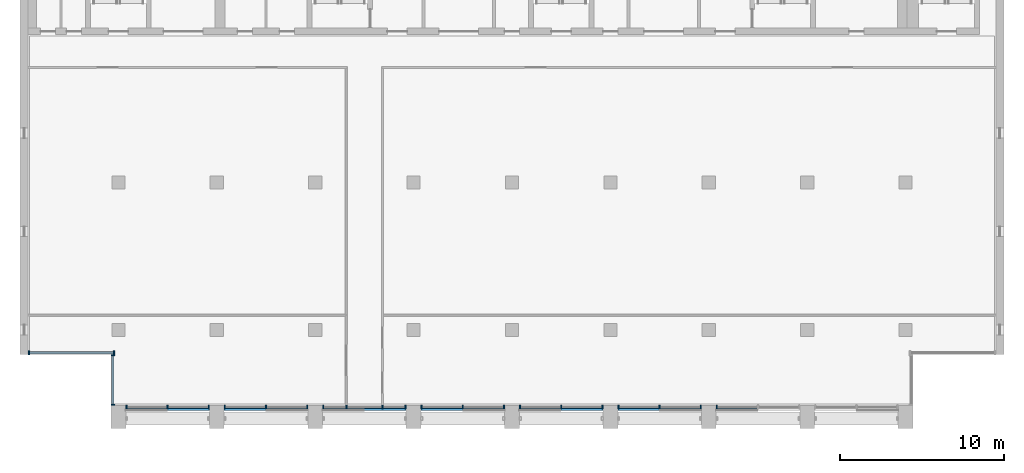
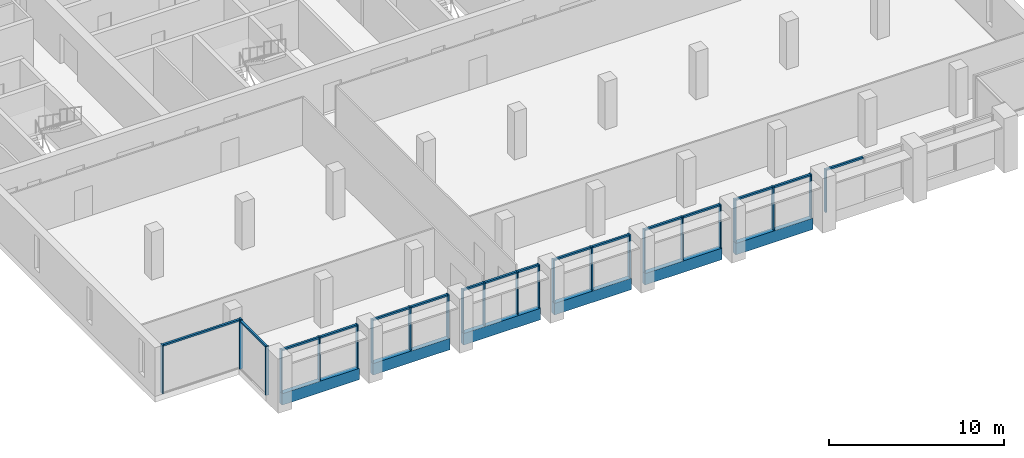
# One storey, part 2 of 14: 40 members, 6 beams, 9 elements without a shape of their own.
"""IFC4 building model written with IfcOpenShell, lengths in metres."""

from ifc_helpers import new_model, si_unit, direction, frame, origin, origin_2d, place, context, subcontext, project, spatial, rectangle, extrude, material, material_profile, profile_set, type_object, element, aggregate, save


model = new_model("IFC4")

# Units and contexts
model_context = context("Model", 3, precision=1e-05, world=origin(), true_north=direction((0.0, 1.0)))
body_context = subcontext(model_context, "Body", "Model", "MODEL_VIEW")
ifc_project = project(units=[si_unit("LENGTHUNIT", "METRE"), si_unit("AREAUNIT", "SQUARE_METRE"), si_unit("VOLUMEUNIT", "CUBIC_METRE"), si_unit("PLANEANGLEUNIT", "RADIAN"), si_unit("MASSUNIT", "GRAM", prefix="KILO")], contexts=[model_context])

# Site, building, storey
site_placement = place(None, origin())
site = spatial("IfcSite", under=ifc_project, at=site_placement, CompositionType="ELEMENT")
building_placement = place(site_placement, origin())
building = spatial("IfcBuilding", under=site, at=building_placement, Name="Calvaro Tower", CompositionType="ELEMENT")
storey_placement = place(building_placement, frame((0.0, 0.0, 258.35009765625)))
storey = spatial("IfcBuildingStorey", under=building, at=storey_placement, Name="L65", CompositionType="ELEMENT", Elevation=258.35009765625)

# Curtain wall, members
ifc_material_1 = material(Name="Anodised aluminium", Category="aluminium")
curtain_wall_type = type_object("IfcCurtainWallType", Name="Executive curtain wall", PredefinedType="NOTDEFINED", material=ifc_material_1)
curtain_wall_1_placement = place(storey_placement, origin())
curtain_wall_1 = element("IfcCurtainWall", 1, at=curtain_wall_1_placement, inside=storey, type_object=curtain_wall_type, Name="CW4 south curtain wall", PredefinedType="NOTDEFINED")
ifc_material_2 = material(Name="Anodised aluminium", Category="aluminium")
ifc_material_profile_1 = material_profile(ifc_material_2, rectangle(XDim=0.219970703125, YDim=0.080078125, at=origin_2d()), Name="Mullion S4 80 x 220")
ifc_profile_set_1 = profile_set([ifc_material_profile_1], Name="Anodised aluminium")
member_type_1 = type_object("IfcMemberType", Name="Mullion S4 80 x 220", PredefinedType="MULLION", material=ifc_profile_set_1)
member_1_placement = place(storey_placement, frame((12.489990234375, 5.2900390625, 0.0), z_axis=(0.0, 0.0, 1.0), x_axis=(0.0, 1.0, 0.0)))
member_1 = element("IfcMember", 2, at=member_1_placement, type_object=member_type_1, Name="CW4 mullion 1", PredefinedType="MULLION", context=body_context, shape_type="SweptSolid", body=[
    extrude(rectangle(XDim=0.219970703125, YDim=0.080078125, at=origin_2d()), origin(), (0.0, 0.0, 1.0), 3.0),
])
member_2_placement = place(storey_placement, frame((15.0, 5.2900390625, 0.0), z_axis=(0.0, 0.0, 1.0), x_axis=(0.0, 1.0, 0.0)))
member_2 = element("IfcMember", 3, at=member_2_placement, type_object=member_type_1, Name="CW4 mullion 2", PredefinedType="MULLION", context=body_context, shape_type="SweptSolid", body=[
    extrude(rectangle(XDim=0.219970703125, YDim=0.080078125, at=origin_2d()), origin(), (0.0, 0.0, 1.0), 3.0),
])
member_3_placement = place(storey_placement, frame((17.510009765625, 5.2900390625, 0.0), z_axis=(0.0, 0.0, 1.0), x_axis=(0.0, 1.0, 0.0)))
member_3 = element("IfcMember", 4, at=member_3_placement, type_object=member_type_1, Name="CW4 mullion 3", PredefinedType="MULLION", context=body_context, shape_type="SweptSolid", body=[
    extrude(rectangle(XDim=0.219970703125, YDim=0.080078125, at=origin_2d()), origin(), (0.0, 0.0, 1.0), 3.0),
])

curtain_wall_2_placement = place(storey_placement, origin())
curtain_wall_2 = element("IfcCurtainWall", 5, at=curtain_wall_2_placement, inside=storey, type_object=curtain_wall_type, Name="CW4 south curtain wall", PredefinedType="NOTDEFINED")
member_4_placement = place(storey_placement, frame((18.489990234375, 5.2900390625, 0.0), z_axis=(0.0, 0.0, 1.0), x_axis=(0.0, 1.0, 0.0)))
member_4 = element("IfcMember", 6, at=member_4_placement, type_object=member_type_1, Name="CW4 mullion 1", PredefinedType="MULLION", context=body_context, shape_type="SweptSolid", body=[
    extrude(rectangle(XDim=0.219970703125, YDim=0.080078125, at=origin_2d()), origin(), (0.0, 0.0, 1.0), 3.0),
])
member_5_placement = place(storey_placement, frame((21.0, 5.2900390625, 0.0), z_axis=(0.0, 0.0, 1.0), x_axis=(0.0, 1.0, 0.0)))
member_5 = element("IfcMember", 7, at=member_5_placement, type_object=member_type_1, Name="CW4 mullion 2", PredefinedType="MULLION", context=body_context, shape_type="SweptSolid", body=[
    extrude(rectangle(XDim=0.219970703125, YDim=0.080078125, at=origin_2d()), origin(), (0.0, 0.0, 1.0), 3.0),
])
member_6_placement = place(storey_placement, frame((23.510009765625, 5.2900390625, 0.0), z_axis=(0.0, 0.0, 1.0), x_axis=(0.0, 1.0, 0.0)))
member_6 = element("IfcMember", 8, at=member_6_placement, type_object=member_type_1, Name="CW4 mullion 3", PredefinedType="MULLION", context=body_context, shape_type="SweptSolid", body=[
    extrude(rectangle(XDim=0.219970703125, YDim=0.080078125, at=origin_2d()), origin(), (0.0, 0.0, 1.0), 3.0),
])

curtain_wall_3_placement = place(storey_placement, origin())
curtain_wall_3 = element("IfcCurtainWall", 9, at=curtain_wall_3_placement, inside=storey, type_object=curtain_wall_type, Name="CW4 south curtain wall", PredefinedType="NOTDEFINED")
member_7_placement = place(storey_placement, frame((24.489990234375, 5.2900390625, 0.0), z_axis=(0.0, 0.0, 1.0), x_axis=(0.0, 1.0, 0.0)))
member_7 = element("IfcMember", 10, at=member_7_placement, type_object=member_type_1, Name="CW4 mullion 1", PredefinedType="MULLION", context=body_context, shape_type="SweptSolid", body=[
    extrude(rectangle(XDim=0.219970703125, YDim=0.080078125, at=origin_2d()), origin(), (0.0, 0.0, 1.0), 3.0),
])
member_8_placement = place(storey_placement, frame((25.89990234375, 5.2900390625, 0.0), z_axis=(0.0, 0.0, 1.0), x_axis=(0.0, 1.0, 0.0)))
member_8 = element("IfcMember", 11, at=member_8_placement, type_object=member_type_1, Name="CW4 mullion 2", PredefinedType="MULLION", context=body_context, shape_type="SweptSolid", body=[
    extrude(rectangle(XDim=0.219970703125, YDim=0.080078125, at=origin_2d()), origin(), (0.0, 0.0, 1.0), 3.0),
])
member_9_placement = place(storey_placement, frame((28.10009765625, 5.2900390625, 0.0), z_axis=(0.0, 0.0, 1.0), x_axis=(0.0, 1.0, 0.0)))
member_9 = element("IfcMember", 12, at=member_9_placement, type_object=member_type_1, Name="CW4 mullion 3", PredefinedType="MULLION", context=body_context, shape_type="SweptSolid", body=[
    extrude(rectangle(XDim=0.219970703125, YDim=0.080078125, at=origin_2d()), origin(), (0.0, 0.0, 1.0), 3.0),
])
member_10_placement = place(storey_placement, frame((29.510009765625, 5.2900390625, 0.0), z_axis=(0.0, 0.0, 1.0), x_axis=(0.0, 1.0, 0.0)))
member_10 = element("IfcMember", 13, at=member_10_placement, type_object=member_type_1, Name="CW4 mullion 4", PredefinedType="MULLION", context=body_context, shape_type="SweptSolid", body=[
    extrude(rectangle(XDim=0.219970703125, YDim=0.080078125, at=origin_2d()), origin(), (0.0, 0.0, 1.0), 3.0),
])

curtain_wall_4_placement = place(storey_placement, origin())
curtain_wall_4 = element("IfcCurtainWall", 14, at=curtain_wall_4_placement, inside=storey, type_object=curtain_wall_type, Name="CW4 south curtain wall", PredefinedType="NOTDEFINED")
member_11_placement = place(storey_placement, frame((30.489990234375, 5.2900390625, 0.0), z_axis=(0.0, 0.0, 1.0), x_axis=(0.0, 1.0, 0.0)))
member_11 = element("IfcMember", 15, at=member_11_placement, type_object=member_type_1, Name="CW4 mullion 1", PredefinedType="MULLION", context=body_context, shape_type="SweptSolid", body=[
    extrude(rectangle(XDim=0.219970703125, YDim=0.080078125, at=origin_2d()), origin(), (0.0, 0.0, 1.0), 3.0),
])
member_12_placement = place(storey_placement, frame((33.0, 5.2900390625, 0.0), z_axis=(0.0, 0.0, 1.0), x_axis=(0.0, 1.0, 0.0)))
member_12 = element("IfcMember", 16, at=member_12_placement, type_object=member_type_1, Name="CW4 mullion 2", PredefinedType="MULLION", context=body_context, shape_type="SweptSolid", body=[
    extrude(rectangle(XDim=0.219970703125, YDim=0.080078125, at=origin_2d()), origin(), (0.0, 0.0, 1.0), 3.0),
])
member_13_placement = place(storey_placement, frame((35.510009765625, 5.2900390625, 0.0), z_axis=(0.0, 0.0, 1.0), x_axis=(0.0, 1.0, 0.0)))
member_13 = element("IfcMember", 17, at=member_13_placement, type_object=member_type_1, Name="CW4 mullion 3", PredefinedType="MULLION", context=body_context, shape_type="SweptSolid", body=[
    extrude(rectangle(XDim=0.219970703125, YDim=0.080078125, at=origin_2d()), origin(), (0.0, 0.0, 1.0), 3.0),
])

curtain_wall_5_placement = place(storey_placement, origin())
curtain_wall_5 = element("IfcCurtainWall", 18, at=curtain_wall_5_placement, inside=storey, type_object=curtain_wall_type, Name="CW4 south curtain wall", PredefinedType="NOTDEFINED")
member_14_placement = place(storey_placement, frame((36.489990234375, 5.2900390625, 0.0), z_axis=(0.0, 0.0, 1.0), x_axis=(0.0, 1.0, 0.0)))
member_14 = element("IfcMember", 19, at=member_14_placement, type_object=member_type_1, Name="CW4 mullion 1", PredefinedType="MULLION", context=body_context, shape_type="SweptSolid", body=[
    extrude(rectangle(XDim=0.219970703125, YDim=0.080078125, at=origin_2d()), origin(), (0.0, 0.0, 1.0), 3.0),
])
member_15_placement = place(storey_placement, frame((39.0, 5.2900390625, 0.0), z_axis=(0.0, 0.0, 1.0), x_axis=(0.0, 1.0, 0.0)))
member_15 = element("IfcMember", 20, at=member_15_placement, type_object=member_type_1, Name="CW4 mullion 2", PredefinedType="MULLION", context=body_context, shape_type="SweptSolid", body=[
    extrude(rectangle(XDim=0.219970703125, YDim=0.080078125, at=origin_2d()), origin(), (0.0, 0.0, 1.0), 3.0),
])
member_16_placement = place(storey_placement, frame((41.510009765625, 5.2900390625, 0.0), z_axis=(0.0, 0.0, 1.0), x_axis=(0.0, 1.0, 0.0)))
member_16 = element("IfcMember", 21, at=member_16_placement, type_object=member_type_1, Name="CW4 mullion 3", PredefinedType="MULLION", context=body_context, shape_type="SweptSolid", body=[
    extrude(rectangle(XDim=0.219970703125, YDim=0.080078125, at=origin_2d()), origin(), (0.0, 0.0, 1.0), 3.0),
])

curtain_wall_6_placement = place(storey_placement, origin())
curtain_wall_6 = element("IfcCurtainWall", 22, at=curtain_wall_6_placement, inside=storey, type_object=curtain_wall_type, Name="CW4 south curtain wall", PredefinedType="NOTDEFINED")
member_17_placement = place(storey_placement, frame((42.489990234375, 5.2900390625, 0.0), z_axis=(0.0, 0.0, 1.0), x_axis=(0.0, 1.0, 0.0)))
member_17 = element("IfcMember", 23, at=member_17_placement, type_object=member_type_1, Name="CW4 mullion 1", PredefinedType="MULLION", context=body_context, shape_type="SweptSolid", body=[
    extrude(rectangle(XDim=0.219970703125, YDim=0.080078125, at=origin_2d()), origin(), (0.0, 0.0, 1.0), 3.0),
])
member_18_placement = place(storey_placement, frame((45.0, 5.2900390625, 0.0), z_axis=(0.0, 0.0, 1.0), x_axis=(0.0, 1.0, 0.0)))
member_18 = element("IfcMember", 24, at=member_18_placement, type_object=member_type_1, Name="CW4 mullion 2", PredefinedType="MULLION", context=body_context, shape_type="SweptSolid", body=[
    extrude(rectangle(XDim=0.219970703125, YDim=0.080078125, at=origin_2d()), origin(), (0.0, 0.0, 1.0), 3.0),
])
member_19_placement = place(storey_placement, frame((47.510009765625, 5.2900390625, 0.0), z_axis=(0.0, 0.0, 1.0), x_axis=(0.0, 1.0, 0.0)))
member_19 = element("IfcMember", 25, at=member_19_placement, type_object=member_type_1, Name="CW4 mullion 3", PredefinedType="MULLION", context=body_context, shape_type="SweptSolid", body=[
    extrude(rectangle(XDim=0.219970703125, YDim=0.080078125, at=origin_2d()), origin(), (0.0, 0.0, 1.0), 3.0),
])

# Curtain wall, member
curtain_wall_7_placement = place(storey_placement, origin())
curtain_wall_7 = element("IfcCurtainWall", 26, at=curtain_wall_7_placement, inside=storey, type_object=curtain_wall_type, Name="CW4 south curtain wall", PredefinedType="NOTDEFINED")
member_20_placement = place(storey_placement, frame((48.489990234375, 5.2900390625, 0.0), z_axis=(0.0, 0.0, 1.0), x_axis=(0.0, 1.0, 0.0)))
member_20 = element("IfcMember", 27, at=member_20_placement, type_object=member_type_1, Name="CW4 mullion 1", PredefinedType="MULLION", context=body_context, shape_type="SweptSolid", body=[
    extrude(rectangle(XDim=0.219970703125, YDim=0.080078125, at=origin_2d()), origin(), (0.0, 0.0, 1.0), 3.0),
])

# Curtain wall, members
curtain_wall_8_placement = place(storey_placement, origin())
curtain_wall_8 = element("IfcCurtainWall", 28, at=curtain_wall_8_placement, inside=storey, type_object=curtain_wall_type, Name="CW4 corner curtain wall", PredefinedType="NOTDEFINED")
member_21_placement = place(storey_placement, frame((11.659912109375, 5.43994140625, 0.0), z_axis=(0.0, 0.0, 1.0), x_axis=(-1.0, 0.0, 0.0)))
member_21 = element("IfcMember", 29, at=member_21_placement, type_object=member_type_1, Name="CW4 mullion 1", PredefinedType="MULLION", context=body_context, shape_type="SweptSolid", body=[
    extrude(rectangle(XDim=0.219970703125, YDim=0.080078125, at=origin_2d()), origin(), (0.0, 0.0, 1.0), 3.39990234375),
])
member_22_placement = place(storey_placement, frame((11.659912109375, 8.4599609375, 0.0), z_axis=(0.0, 0.0, 1.0), x_axis=(-1.0, 0.0, 0.0)))
member_22 = element("IfcMember", 30, at=member_22_placement, type_object=member_type_1, Name="CW4 mullion 2", PredefinedType="MULLION", context=body_context, shape_type="SweptSolid", body=[
    extrude(rectangle(XDim=0.219970703125, YDim=0.080078125, at=origin_2d()), origin(), (0.0, 0.0, 1.0), 3.39990234375),
])

curtain_wall_9_placement = place(storey_placement, origin())
curtain_wall_9 = element("IfcCurtainWall", 31, at=curtain_wall_9_placement, inside=storey, type_object=curtain_wall_type, Name="CW4 corner curtain wall", PredefinedType="NOTDEFINED")
member_23_placement = place(storey_placement, frame((6.5400390625, 8.610107421875, 0.0), z_axis=(0.0, 0.0, 1.0), x_axis=(0.0, 1.0, 0.0)))
member_23 = element("IfcMember", 32, at=member_23_placement, type_object=member_type_1, Name="CW4 mullion 1", PredefinedType="MULLION", context=body_context, shape_type="SweptSolid", body=[
    extrude(rectangle(XDim=0.219970703125, YDim=0.080078125, at=origin_2d()), origin(), (0.0, 0.0, 1.0), 3.39990234375),
])
member_24_placement = place(storey_placement, frame((11.72998046875, 8.610107421875, 0.0), z_axis=(0.0, 0.0, 1.0), x_axis=(0.0, 1.0, 0.0)))
member_24 = element("IfcMember", 33, at=member_24_placement, type_object=member_type_1, Name="CW4 mullion 2", PredefinedType="MULLION", context=body_context, shape_type="SweptSolid", body=[
    extrude(rectangle(XDim=0.219970703125, YDim=0.080078125, at=origin_2d()), origin(), (0.0, 0.0, 1.0), 3.39990234375),
])

# Beams
ifc_material_3 = material(Name="Concrete C50/60 precast", Category="concrete")
ifc_material_profile_2 = material_profile(ifc_material_3, rectangle(XDim=0.300048828125, YDim=0.800048828125, at=origin_2d()), Name="RC 300x800")
ifc_profile_set_2 = profile_set([ifc_material_profile_2], Name="Concrete C50/60 precast")
beam_type = type_object("IfcBeamType", Name="Spandrel beam 300x800 C50/60", PredefinedType="SPANDREL", material=ifc_profile_set_2)
for number, where, z_axis, x_axis, name in (
    (34, (12.449951171875, 5.25, -0.400146484375), (1.0, 0.0, 0.0), (0.0, 1.0, 0.0), "Spandrel beam"),
    (35, (18.449951171875, 5.25, -0.400146484375), (1.0, 0.0, 0.0), (0.0, 1.0, 0.0), "Spandrel beam"),
    (36, (24.449951171875, 5.25, -0.400146484375), (1.0, 0.0, 0.0), (0.0, 1.0, 0.0), "Spandrel beam"),
    (37, (30.449951171875, 5.25, -0.400146484375), (1.0, 0.0, 0.0), (0.0, 1.0, 0.0), "Spandrel beam"),
    (38, (36.449951171875, 5.25, -0.400146484375), (1.0, 0.0, 0.0), (0.0, 1.0, 0.0), "Spandrel beam"),
    (39, (42.449951171875, 5.25, -0.400146484375), (1.0, 0.0, 0.0), (0.0, 1.0, 0.0), "Spandrel beam"),
):
    element("IfcBeam", number, at=place(storey_placement, frame(where, z_axis=z_axis, x_axis=x_axis)), inside=storey, type_object=beam_type, Name=name, PredefinedType="SPANDREL", context=body_context, shape_type="SweptSolid", body=[
        extrude(rectangle(XDim=0.300048828125, YDim=0.800048828125, at=origin_2d()), origin(), (0.0, 0.0, 1.0), 5.10009765625),
    ])

# Member
ifc_material_4 = material(Name="Anodised aluminium", Category="aluminium")
ifc_material_profile_3 = material_profile(ifc_material_4, rectangle(XDim=0.139892578125, YDim=0.1201171875, at=origin_2d()), Name="Transom S4 120 x 140")
ifc_profile_set_3 = profile_set([ifc_material_profile_3], Name="Anodised aluminium")
member_type_2 = type_object("IfcMemberType", Name="Transom S4 120 x 140", PredefinedType="USERDEFINED", material=ifc_profile_set_3)
member_25_placement = place(storey_placement, frame((12.530029296875, 5.2900390625, 2.93994140625), z_axis=(1.0, 0.0, 0.0), x_axis=(0.0, 1.0, 0.0)))
member_25 = element("IfcMember", 40, at=member_25_placement, type_object=member_type_2, Name="CW4 transom 1.1", ObjectType="TRANSOM", PredefinedType="USERDEFINED", context=body_context, shape_type="SweptSolid", body=[
    extrude(rectangle(XDim=0.139892578125, YDim=0.1201171875, at=origin_2d()), origin(), (0.0, 0.0, 1.0), 2.429931640625),
])

member_26_placement = place(storey_placement, frame((15.0400390625, 5.2900390625, 2.93994140625), z_axis=(1.0, 0.0, 0.0), x_axis=(0.0, 1.0, 0.0)))
member_26 = element("IfcMember", 41, at=member_26_placement, type_object=member_type_2, Name="CW4 transom 2.1", ObjectType="TRANSOM", PredefinedType="USERDEFINED", context=body_context, shape_type="SweptSolid", body=[
    extrude(rectangle(XDim=0.139892578125, YDim=0.1201171875, at=origin_2d()), origin(), (0.0, 0.0, 1.0), 2.429931640625),
])

aggregate(curtain_wall_1, [member_1, member_2, member_3, member_25, member_26])

member_27_placement = place(storey_placement, frame((18.530029296875, 5.2900390625, 2.93994140625), z_axis=(1.0, 0.0, 0.0), x_axis=(0.0, 1.0, 0.0)))
member_27 = element("IfcMember", 42, at=member_27_placement, type_object=member_type_2, Name="CW4 transom 1.1", ObjectType="TRANSOM", PredefinedType="USERDEFINED", context=body_context, shape_type="SweptSolid", body=[
    extrude(rectangle(XDim=0.139892578125, YDim=0.1201171875, at=origin_2d()), origin(), (0.0, 0.0, 1.0), 2.429931640625),
])

member_28_placement = place(storey_placement, frame((21.0400390625, 5.2900390625, 2.93994140625), z_axis=(1.0, 0.0, 0.0), x_axis=(0.0, 1.0, 0.0)))
member_28 = element("IfcMember", 43, at=member_28_placement, type_object=member_type_2, Name="CW4 transom 2.1", ObjectType="TRANSOM", PredefinedType="USERDEFINED", context=body_context, shape_type="SweptSolid", body=[
    extrude(rectangle(XDim=0.139892578125, YDim=0.1201171875, at=origin_2d()), origin(), (0.0, 0.0, 1.0), 2.429931640625),
])

aggregate(curtain_wall_2, [member_4, member_5, member_6, member_27, member_28])

member_29_placement = place(storey_placement, frame((24.530029296875, 5.2900390625, 2.93994140625), z_axis=(1.0, 0.0, 0.0), x_axis=(0.0, 1.0, 0.0)))
member_29 = element("IfcMember", 44, at=member_29_placement, type_object=member_type_2, Name="CW4 transom 1.1", ObjectType="TRANSOM", PredefinedType="USERDEFINED", context=body_context, shape_type="SweptSolid", body=[
    extrude(rectangle(XDim=0.139892578125, YDim=0.1201171875, at=origin_2d()), origin(), (0.0, 0.0, 1.0), 1.330078125),
])

member_30_placement = place(storey_placement, frame((25.93994140625, 5.2900390625, 2.93994140625), z_axis=(1.0, 0.0, 0.0), x_axis=(0.0, 1.0, 0.0)))
member_30 = element("IfcMember", 45, at=member_30_placement, type_object=member_type_2, Name="CW4 transom 2.1", ObjectType="TRANSOM", PredefinedType="USERDEFINED", context=body_context, shape_type="SweptSolid", body=[
    extrude(rectangle(XDim=0.139892578125, YDim=0.1201171875, at=origin_2d()), origin(), (0.0, 0.0, 1.0), 2.1201171875),
])

member_31_placement = place(storey_placement, frame((28.139892578125, 5.2900390625, 2.93994140625), z_axis=(1.0, 0.0, 0.0), x_axis=(0.0, 1.0, 0.0)))
member_31 = element("IfcMember", 46, at=member_31_placement, type_object=member_type_2, Name="CW4 transom 3.1", ObjectType="TRANSOM", PredefinedType="USERDEFINED", context=body_context, shape_type="SweptSolid", body=[
    extrude(rectangle(XDim=0.139892578125, YDim=0.1201171875, at=origin_2d()), origin(), (0.0, 0.0, 1.0), 1.330078125),
])

aggregate(curtain_wall_3, [member_7, member_8, member_9, member_10, member_29, member_30, member_31])

member_32_placement = place(storey_placement, frame((30.530029296875, 5.2900390625, 2.93994140625), z_axis=(1.0, 0.0, 0.0), x_axis=(0.0, 1.0, 0.0)))
member_32 = element("IfcMember", 47, at=member_32_placement, type_object=member_type_2, Name="CW4 transom 1.1", ObjectType="TRANSOM", PredefinedType="USERDEFINED", context=body_context, shape_type="SweptSolid", body=[
    extrude(rectangle(XDim=0.139892578125, YDim=0.1201171875, at=origin_2d()), origin(), (0.0, 0.0, 1.0), 2.429931640625),
])

member_33_placement = place(storey_placement, frame((33.0400390625, 5.2900390625, 2.93994140625), z_axis=(1.0, 0.0, 0.0), x_axis=(0.0, 1.0, 0.0)))
member_33 = element("IfcMember", 48, at=member_33_placement, type_object=member_type_2, Name="CW4 transom 2.1", ObjectType="TRANSOM", PredefinedType="USERDEFINED", context=body_context, shape_type="SweptSolid", body=[
    extrude(rectangle(XDim=0.139892578125, YDim=0.1201171875, at=origin_2d()), origin(), (0.0, 0.0, 1.0), 2.429931640625),
])

aggregate(curtain_wall_4, [member_11, member_12, member_13, member_32, member_33])

member_34_placement = place(storey_placement, frame((36.530029296875, 5.2900390625, 2.93994140625), z_axis=(1.0, 0.0, 0.0), x_axis=(0.0, 1.0, 0.0)))
member_34 = element("IfcMember", 49, at=member_34_placement, type_object=member_type_2, Name="CW4 transom 1.1", ObjectType="TRANSOM", PredefinedType="USERDEFINED", context=body_context, shape_type="SweptSolid", body=[
    extrude(rectangle(XDim=0.139892578125, YDim=0.1201171875, at=origin_2d()), origin(), (0.0, 0.0, 1.0), 2.429931640625),
])

member_35_placement = place(storey_placement, frame((39.0400390625, 5.2900390625, 2.93994140625), z_axis=(1.0, 0.0, 0.0), x_axis=(0.0, 1.0, 0.0)))
member_35 = element("IfcMember", 50, at=member_35_placement, type_object=member_type_2, Name="CW4 transom 2.1", ObjectType="TRANSOM", PredefinedType="USERDEFINED", context=body_context, shape_type="SweptSolid", body=[
    extrude(rectangle(XDim=0.139892578125, YDim=0.1201171875, at=origin_2d()), origin(), (0.0, 0.0, 1.0), 2.429931640625),
])

aggregate(curtain_wall_5, [member_14, member_15, member_16, member_34, member_35])

member_36_placement = place(storey_placement, frame((42.530029296875, 5.2900390625, 2.93994140625), z_axis=(1.0, 0.0, 0.0), x_axis=(0.0, 1.0, 0.0)))
member_36 = element("IfcMember", 51, at=member_36_placement, type_object=member_type_2, Name="CW4 transom 1.1", ObjectType="TRANSOM", PredefinedType="USERDEFINED", context=body_context, shape_type="SweptSolid", body=[
    extrude(rectangle(XDim=0.139892578125, YDim=0.1201171875, at=origin_2d()), origin(), (0.0, 0.0, 1.0), 2.429931640625),
])

member_37_placement = place(storey_placement, frame((45.0400390625, 5.2900390625, 2.93994140625), z_axis=(1.0, 0.0, 0.0), x_axis=(0.0, 1.0, 0.0)))
member_37 = element("IfcMember", 52, at=member_37_placement, type_object=member_type_2, Name="CW4 transom 2.1", ObjectType="TRANSOM", PredefinedType="USERDEFINED", context=body_context, shape_type="SweptSolid", body=[
    extrude(rectangle(XDim=0.139892578125, YDim=0.1201171875, at=origin_2d()), origin(), (0.0, 0.0, 1.0), 2.429931640625),
])

aggregate(curtain_wall_6, [member_17, member_18, member_19, member_36, member_37])

member_38_placement = place(storey_placement, frame((48.530029296875, 5.2900390625, 2.93994140625), z_axis=(1.0, 0.0, 0.0), x_axis=(0.0, 1.0, 0.0)))
member_38 = element("IfcMember", 53, at=member_38_placement, type_object=member_type_2, Name="CW4 transom 1.1", ObjectType="TRANSOM", PredefinedType="USERDEFINED", context=body_context, shape_type="SweptSolid", body=[
    extrude(rectangle(XDim=0.139892578125, YDim=0.1201171875, at=origin_2d()), origin(), (0.0, 0.0, 1.0), 2.429931640625),
])

aggregate(curtain_wall_7, [member_20, member_38])

member_39_placement = place(storey_placement, frame((11.659912109375, 5.47998046875, 3.33984375), z_axis=(0.0, 1.0, 0.0), x_axis=(-1.0, 0.0, 0.0)))
member_39 = element("IfcMember", 54, at=member_39_placement, type_object=member_type_2, Name="CW4 transom 1.1", ObjectType="TRANSOM", PredefinedType="USERDEFINED", context=body_context, shape_type="SweptSolid", body=[
    extrude(rectangle(XDim=0.139892578125, YDim=0.1201171875, at=origin_2d()), origin(), (0.0, 0.0, 1.0), 2.93994140625),
])

aggregate(curtain_wall_8, [member_21, member_22, member_39])

member_40_placement = place(storey_placement, frame((6.580078125, 8.610107421875, 3.33984375), z_axis=(1.0, 0.0, 0.0), x_axis=(0.0, 1.0, 0.0)))
member_40 = element("IfcMember", 55, at=member_40_placement, type_object=member_type_2, Name="CW4 transom 1.1", ObjectType="TRANSOM", PredefinedType="USERDEFINED", context=body_context, shape_type="SweptSolid", body=[
    extrude(rectangle(XDim=0.139892578125, YDim=0.1201171875, at=origin_2d()), origin(), (0.0, 0.0, 1.0), 5.10986328125),
])

aggregate(curtain_wall_9, [member_23, member_24, member_40])

save(model, "model.ifc")
